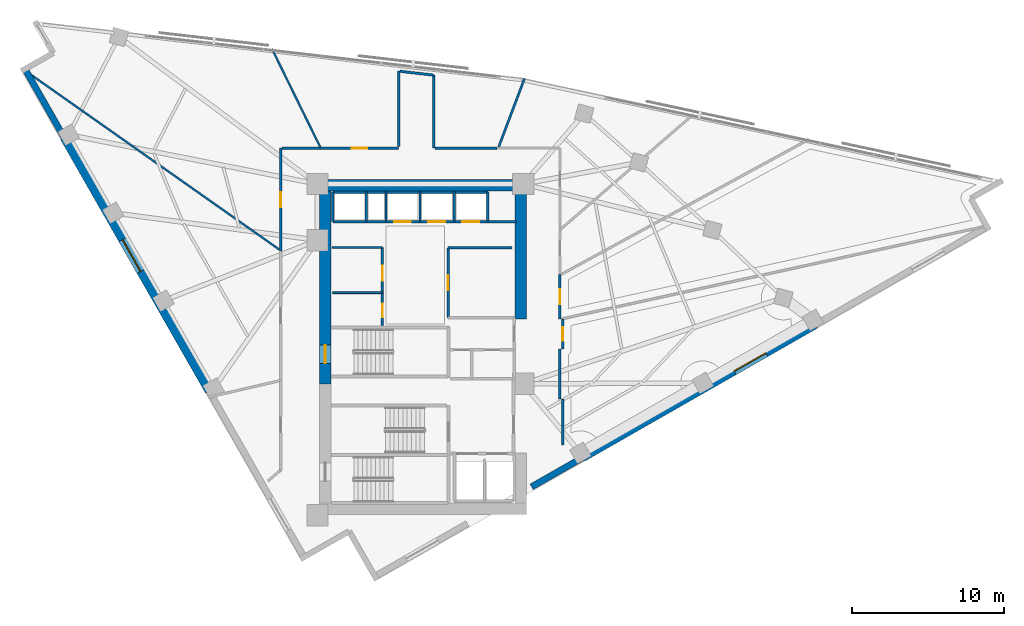
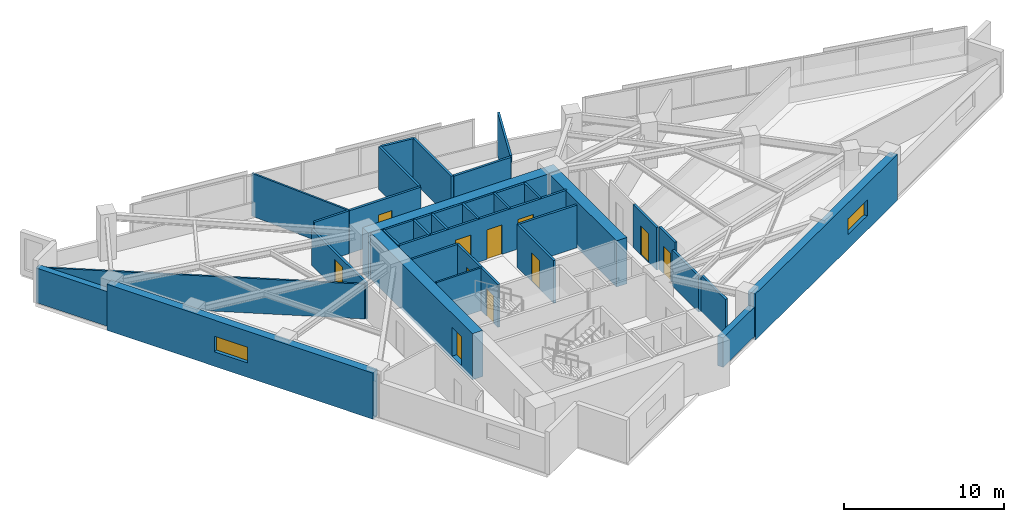
# One storey, part 10 of 14: 35 walls, 11 doors, 2 windows, 13 openings.
"""IFC4 building model written with IfcOpenShell, lengths in metres."""

from ifc_helpers import new_model, si_unit, direction, frame, frame_2d, origin, place, context, subcontext, project, spatial, rectangle, extrude, material, layer, layer_set, type_object, element, fill, save


model = new_model("IFC4")

# Units and contexts
model_context = context("Model", 3, precision=1e-05, world=origin(), true_north=direction((0.0, 1.0)))
body_context = subcontext(model_context, "Body", "Model", "MODEL_VIEW")
ifc_project = project(units=[si_unit("LENGTHUNIT", "METRE"), si_unit("AREAUNIT", "SQUARE_METRE"), si_unit("VOLUMEUNIT", "CUBIC_METRE"), si_unit("PLANEANGLEUNIT", "RADIAN"), si_unit("MASSUNIT", "GRAM", prefix="KILO")], contexts=[model_context])

# Site, building, storey
site_placement = place(None, origin())
site = spatial("IfcSite", under=ifc_project, at=site_placement, CompositionType="ELEMENT")
building_placement = place(site_placement, origin())
building = spatial("IfcBuilding", under=site, at=building_placement, Name="Narakoshi Arena Tower", CompositionType="ELEMENT")
storey_placement = place(building_placement, frame((0.0, 0.0, 214.97998046875)))
storey = spatial("IfcBuildingStorey", under=building, at=storey_placement, Name="L58", CompositionType="ELEMENT", Elevation=214.97998046875)

# Wall, opening, door
ifc_material_1 = material(Name="Concrete C50/60", Category="concrete")
ifc_layer_1 = layer(ifc_material_1, 0.75)
ifc_layer_set_1 = layer_set([ifc_layer_1], Name="Concrete C50/60")
wall_type_1 = type_object("IfcWallType", Name="WL-CORE-750", PredefinedType="SHEAR", material=ifc_layer_set_1)
wall_1_placement = place(storey_placement, frame((72.52490234375, 43.35009765625, -0.260009765625), z_axis=(0.0, 0.0, 1.0), x_axis=(0.0, 1.0, 0.0)))
wall_1 = element("IfcWall", 1, at=wall_1_placement, inside=storey, type_object=wall_type_1, Name="L58 Main Core Shear Wall CW-MN-W", PredefinedType="SHEAR", context=body_context, shape_type="SweptSolid", body=[
    extrude(rectangle(XDim=12.699951171875, YDim=0.75, at=frame_2d((6.35009765625, 0.0))), origin(), (0.0, 0.0, 1.0), 3.52001953125),
])
opening_1_placement = place(wall_1_placement, frame((1.35009765625, 0.0, 0.260009765625)))
opening_1 = element("IfcOpeningElement", 2, at=opening_1_placement, cuts=wall_1, Name="Opening D-03", PredefinedType="OPENING", context=body_context, shape_type="SweptSolid", body=[
    extrude(rectangle(XDim=1.199951171875, YDim=2.199951171875, at=frame_2d((0.60009765625, 1.10009765625))), frame((0.0, 0.385009765625, 0.0), z_axis=(0.0, -1.0, 0.0), x_axis=(1.0, 0.0, 0.0)), (0.0, 0.0, 1.0), 0.77001953125),
])
ifc_material_2 = material(Name="Painted galvanized steel", Category="steel")
door_type_1 = type_object("IfcDoorType", Name="DR-STR-1200", OperationType="NOTDEFINED", PredefinedType="USERDEFINED", material=ifc_material_2)
door_1_placement = place(opening_1_placement, frame((1.199951171875, 0.0, 0.0), z_axis=(0.0, 0.0, 1.0), x_axis=(-1.0, 0.0, 0.0)))
door_1 = element("IfcDoor", 3, at=door_1_placement, inside=storey, type_object=door_type_1, Name="DR-L58-006", ObjectType="EXITDOOR", OperationType="SINGLE_SWING_LEFT", OverallHeight=2.199951171875, OverallWidth=1.199951171875, PredefinedType="USERDEFINED", context=body_context, shape_type="SweptSolid", body=[
    extrude(rectangle(XDim=1.199951171875, YDim=2.199951171875, at=frame_2d((0.60009765625, 1.10009765625))), frame((0.0, 0.02490234375, 0.0), z_axis=(0.0, -1.0, 0.0), x_axis=(1.0, 0.0, 0.0)), (0.0, 0.0, 1.0), 0.050048828125),
])
fill(opening_1, door_1)

# Walls
wall_2_placement = place(storey_placement, frame((72.0, 56.425048828125, -0.260009765625), z_axis=(0.0, 0.0, 1.0), x_axis=(1.0, 0.0, 0.0)))
element("IfcWall", 4, at=wall_2_placement, inside=storey, type_object=wall_type_1, Name="L58 Main Core Shear Wall CW-MN-N", PredefinedType="SHEAR", context=body_context, shape_type="SweptSolid", body=[
    extrude(rectangle(XDim=13.75, YDim=0.75, at=frame_2d((6.875, 0.0))), origin(), (0.0, 0.0, 1.0), 3.52001953125),
])
wall_3_placement = place(storey_placement, frame((85.375, 47.60009765625, -0.260009765625), z_axis=(0.0, 0.0, 1.0), x_axis=(0.0, 1.0, 0.0)))
element("IfcWall", 5, at=wall_3_placement, inside=storey, type_object=wall_type_1, Name="L58 Main Core Shear Wall CW-MN-E", PredefinedType="SHEAR", context=body_context, shape_type="SweptSolid", body=[
    extrude(rectangle(XDim=8.449951171875, YDim=0.75, at=frame_2d((4.22509765625, 0.0))), origin(), (0.0, 0.0, 1.0), 3.52001953125),
])
ifc_material_3 = material(Name="Gypsum plasterboard fire-rated partition")
ifc_layer_2 = layer(ifc_material_3, 0.1650390625)
ifc_layer_set_2 = layer_set([ifc_layer_2], Name="Gypsum plasterboard fire-rated partition")
wall_type_2 = type_object("IfcWallType", Name="WL-CORR-165", PredefinedType="PARTITIONING", material=ifc_layer_set_2)
wall_4_placement = place(storey_placement, frame((87.96142578125, 42.35009765625, 0.0), z_axis=(0.0, 0.0, 1.0), x_axis=(0.0, 1.0, 0.0)))
element("IfcWall", 6, at=wall_4_placement, inside=storey, type_object=wall_type_2, Name="L58 Corridor Partition 02-1", PredefinedType="PARTITIONING", context=body_context, shape_type="SweptSolid", body=[
    extrude(rectangle(XDim=3.2998046875, YDim=0.1650390625, at=frame_2d((1.64990234375, 0.0))), origin(), (0.0, 0.0, 1.0), 2.7451171875),
])
wall_5_placement = place(storey_placement, frame((88.14990234375, 39.322998046875, 0.0), z_axis=(0.0, 0.0, 1.0), x_axis=(0.0, 1.0, 0.0)))
element("IfcWall", 7, at=wall_5_placement, inside=storey, type_object=wall_type_2, Name="L58 Corridor Partition 02-2", PredefinedType="PARTITIONING", context=body_context, shape_type="SweptSolid", body=[
    extrude(rectangle(XDim=3.027099609375, YDim=0.1650390625, at=frame_2d((1.513671875, 0.0))), origin(), (0.0, 0.0, 1.0), 2.7451171875),
])

# Wall, opening, door
wall_6_placement = place(storey_placement, frame((88.14990234375, 45.64990234375, 0.0), z_axis=(0.0, 0.0, 1.0), x_axis=(0.0, 1.0, 0.0)))
wall_6 = element("IfcWall", 8, at=wall_6_placement, inside=storey, type_object=wall_type_2, Name="L58 Corridor Partition 02-3", PredefinedType="PARTITIONING", context=body_context, shape_type="SweptSolid", body=[
    extrude(rectangle(XDim=1.97021484375, YDim=0.1650390625, at=frame_2d((0.985107421875, 0.0))), origin(), (0.0, 0.0, 1.0), 3.260009765625),
])
opening_2_placement = place(wall_6_placement, frame((0.534912109375, 0.0, 0.0)))
opening_2 = element("IfcOpeningElement", 9, at=opening_2_placement, cuts=wall_6, Name="Opening D-08", PredefinedType="OPENING", context=body_context, shape_type="SweptSolid", body=[
    extrude(rectangle(XDim=0.89990234375, YDim=2.10009765625, at=frame_2d((0.449951171875, 1.050048828125))), frame((0.0, 0.092529296875, 0.0), z_axis=(0.0, -1.0, 0.0), x_axis=(1.0, 0.0, 0.0)), (0.0, 0.0, 1.0), 0.18505859375),
])
ifc_material_4 = material(Name="Moisture-resistant laminate timber", Category="wood")
door_type_2 = type_object("IfcDoorType", Name="DR-WC-900", OperationType="NOTDEFINED", PredefinedType="DOOR", material=ifc_material_4)
door_2_placement = place(opening_2_placement, frame((0.89990234375, 0.0, 0.0), z_axis=(0.0, 0.0, 1.0), x_axis=(-1.0, 0.0, 0.0)))
door_2 = element("IfcDoor", 10, at=door_2_placement, inside=storey, type_object=door_type_2, Name="DR-L58-017", OperationType="SINGLE_SWING_LEFT", OverallHeight=2.10009765625, OverallWidth=0.89990234375, PredefinedType="DOOR", context=body_context, shape_type="SweptSolid", body=[
    extrude(rectangle(XDim=0.89990234375, YDim=2.10009765625, at=frame_2d((0.449951171875, 1.050048828125))), frame((0.0, 0.02490234375, 0.0), z_axis=(0.0, -1.0, 0.0), x_axis=(1.0, 0.0, 0.0)), (0.0, 0.0, 1.0), 0.050048828125),
])
fill(opening_2, door_2)

wall_7_placement = place(storey_placement, frame((87.96142578125, 47.6201171875, 0.0), z_axis=(0.0, 0.0, 1.0), x_axis=(0.0, 1.0, 0.0)))
wall_7 = element("IfcWall", 11, at=wall_7_placement, inside=storey, type_object=wall_type_2, Name="L58 Corridor Partition 03-1", PredefinedType="PARTITIONING", context=body_context, shape_type="SweptSolid", body=[
    extrude(rectangle(XDim=2.915283203125, YDim=0.1650390625, at=frame_2d((1.45751953125, 0.0))), origin(), (0.0, 0.0, 1.0), 3.260009765625),
])
opening_3_placement = place(wall_7_placement, frame((0.957763671875, 0.0, 0.0)))
opening_3 = element("IfcOpeningElement", 12, at=opening_3_placement, cuts=wall_7, Name="Opening D-06", PredefinedType="OPENING", context=body_context, shape_type="SweptSolid", body=[
    extrude(rectangle(XDim=1.0, YDim=2.199951171875, at=frame_2d((0.5, 1.10009765625))), frame((0.0, 0.092529296875, 0.0), z_axis=(0.0, -1.0, 0.0), x_axis=(1.0, 0.0, 0.0)), (0.0, 0.0, 1.0), 0.18505859375),
])
ifc_material_5 = material(Name="Stained oak solid-core timber", Category="wood")
door_type_3 = type_object("IfcDoorType", Name="DR-OFF-1000", OperationType="NOTDEFINED", PredefinedType="DOOR", material=ifc_material_5)
door_3_placement = place(opening_3_placement, frame((1.0, 0.0, 0.0), z_axis=(0.0, 0.0, 1.0), x_axis=(-1.0, 0.0, 0.0)))
door_3 = element("IfcDoor", 13, at=door_3_placement, inside=storey, type_object=door_type_3, Name="DR-L58-018", OperationType="SINGLE_SWING_RIGHT", OverallHeight=2.199951171875, OverallWidth=1.0, PredefinedType="DOOR", context=body_context, shape_type="SweptSolid", body=[
    extrude(rectangle(XDim=1.0, YDim=2.199951171875, at=frame_2d((0.5, 1.10009765625))), frame((0.0, 0.02490234375, 0.0), z_axis=(0.0, -1.0, 0.0), x_axis=(1.0, 0.0, 0.0)), (0.0, 0.0, 1.0), 0.050048828125),
])
fill(opening_3, door_3)

wall_8_placement = place(storey_placement, frame((77.35009765625, 58.861328125, 0.0), z_axis=(0.0, 0.0, 1.0), x_axis=(-1.0, 0.0, 0.0)))
wall_8 = element("IfcWall", 14, at=wall_8_placement, inside=storey, type_object=wall_type_2, Name="L58 Corridor Partition 06-1", PredefinedType="PARTITIONING", context=body_context, shape_type="SweptSolid", body=[
    extrude(rectangle(XDim=5.1630859375, YDim=0.1650390625, at=frame_2d((2.58154296875, 0.0))), origin(), (0.0, 0.0, 1.0), 3.260009765625),
])
opening_4_placement = place(wall_8_placement, frame((2.081298828125, 0.0, 0.0)))
opening_4 = element("IfcOpeningElement", 15, at=opening_4_placement, cuts=wall_8, Name="Opening D-06", PredefinedType="OPENING", context=body_context, shape_type="SweptSolid", body=[
    extrude(rectangle(XDim=1.0, YDim=2.199951171875, at=frame_2d((0.5, 1.10009765625))), frame((0.0, 0.092529296875, 0.0), z_axis=(0.0, -1.0, 0.0), x_axis=(1.0, 0.0, 0.0)), (0.0, 0.0, 1.0), 0.18505859375),
])
door_4_placement = place(opening_4_placement, frame((1.0, 0.0, 0.0), z_axis=(0.0, 0.0, 1.0), x_axis=(-1.0, 0.0, 0.0)))
door_4 = element("IfcDoor", 16, at=door_4_placement, inside=storey, type_object=door_type_3, Name="DR-L58-021", OperationType="SINGLE_SWING_LEFT", OverallHeight=2.199951171875, OverallWidth=1.0, PredefinedType="DOOR", context=body_context, shape_type="SweptSolid", body=[
    extrude(rectangle(XDim=1.0, YDim=2.199951171875, at=frame_2d((0.5, 1.10009765625))), frame((0.0, 0.02490234375, 0.0), z_axis=(0.0, -1.0, 0.0), x_axis=(1.0, 0.0, 0.0)), (0.0, 0.0, 1.0), 0.050048828125),
])
fill(opening_4, door_4)

# Walls
wall_9_placement = place(storey_placement, frame((77.35009765625, 63.930908203125, 0.0), z_axis=(0.0, 0.0, 1.0), x_axis=(0.0, -1.0, 0.0)))
element("IfcWall", 17, at=wall_9_placement, inside=storey, type_object=wall_type_2, Name="L58 Corridor Partition 06-2", PredefinedType="PARTITIONING", context=body_context, shape_type="SweptSolid", body=[
    extrude(rectangle(XDim=4.97509765625, YDim=0.1650390625, at=frame_2d((2.487548828125, 0.0))), origin(), (0.0, 0.0, 1.0), 3.260009765625),
])
wall_10_placement = place(storey_placement, frame((79.64990234375, 58.861328125, 0.0), z_axis=(0.0, 0.0, 1.0), x_axis=(0.0, 1.0, 0.0)))
element("IfcWall", 18, at=wall_10_placement, inside=storey, type_object=wall_type_2, Name="L58 Corridor Partition 06-3", PredefinedType="PARTITIONING", context=body_context, shape_type="SweptSolid", body=[
    extrude(rectangle(XDim=4.80322265625, YDim=0.1650390625, at=frame_2d((2.401611328125, 0.0))), origin(), (0.0, 0.0, 1.0), 3.260009765625),
])
wall_11_placement = place(storey_placement, frame((83.837890625, 58.861328125, 0.0), z_axis=(0.0, 0.0, 1.0), x_axis=(-1.0, 0.0, 0.0)))
element("IfcWall", 19, at=wall_11_placement, inside=storey, type_object=wall_type_2, Name="L58 Corridor Partition 06-4", PredefinedType="PARTITIONING", context=body_context, shape_type="SweptSolid", body=[
    extrude(rectangle(XDim=4.093505859375, YDim=0.1650390625, at=frame_2d((2.046875, 0.0))), origin(), (0.0, 0.0, 1.0), 3.260009765625),
])
wall_12_placement = place(storey_placement, frame((79.64990234375, 63.66455078125, 0.0), z_axis=(0.0, 0.0, 1.0), x_axis=(-0.993362136032, 0.115028981987, 0.0)))
element("IfcWall", 20, at=wall_12_placement, inside=storey, type_object=wall_type_2, Name="L58 Corridor Partition 06-5", PredefinedType="PARTITIONING", context=body_context, shape_type="SweptSolid", body=[
    extrude(rectangle(XDim=2.219970703125, YDim=0.1650390625, at=frame_2d((1.10986328125, 0.0))), origin(), (0.0, 0.0, 1.0), 3.260009765625),
])

# Wall, opening, door
wall_13_placement = place(storey_placement, frame((69.588623046875, 58.861328125, 0.0), z_axis=(0.0, 0.0, 1.0), x_axis=(0.0, -1.0, 0.0)))
wall_13 = element("IfcWall", 21, at=wall_13_placement, inside=storey, type_object=wall_type_2, Name="L58 Corridor Partition 07-1", PredefinedType="PARTITIONING", context=body_context, shape_type="SweptSolid", body=[
    extrude(rectangle(XDim=6.784912109375, YDim=0.1650390625, at=frame_2d((3.392578125, 0.0))), origin(), (0.0, 0.0, 1.0), 2.7451171875),
])
opening_5_placement = place(wall_13_placement, frame((2.892578125, 0.0, 0.0)))
opening_5 = element("IfcOpeningElement", 22, at=opening_5_placement, cuts=wall_13, Name="Opening D-06", PredefinedType="OPENING", context=body_context, shape_type="SweptSolid", body=[
    extrude(rectangle(XDim=1.0, YDim=2.199951171875, at=frame_2d((0.5, 1.10009765625))), frame((0.0, 0.092529296875, 0.0), z_axis=(0.0, -1.0, 0.0), x_axis=(1.0, 0.0, 0.0)), (0.0, 0.0, 1.0), 0.18505859375),
])
door_5_placement = place(opening_5_placement, frame((1.0, 0.0, 0.0), z_axis=(0.0, 0.0, 1.0), x_axis=(-1.0, 0.0, 0.0)))
door_5 = element("IfcDoor", 23, at=door_5_placement, inside=storey, type_object=door_type_3, Name="DR-L58-022", OperationType="SINGLE_SWING_RIGHT", OverallHeight=2.199951171875, OverallWidth=1.0, PredefinedType="DOOR", context=body_context, shape_type="SweptSolid", body=[
    extrude(rectangle(XDim=1.0, YDim=2.199951171875, at=frame_2d((0.5, 1.10009765625))), frame((0.0, 0.02490234375, 0.0), z_axis=(0.0, -1.0, 0.0), x_axis=(1.0, 0.0, 0.0)), (0.0, 0.0, 1.0), 0.050048828125),
])
fill(opening_5, door_5)

# Wall
wall_14_placement = place(storey_placement, frame((72.16015625, 58.861328125, 0.0), z_axis=(0.0, 0.0, 1.0), x_axis=(-1.0, 0.0, 0.0)))
element("IfcWall", 24, at=wall_14_placement, inside=storey, type_object=wall_type_2, Name="L58 Corridor Partition 07-2", PredefinedType="PARTITIONING", context=body_context, shape_type="SweptSolid", body=[
    extrude(rectangle(XDim=2.47705078125, YDim=0.1650390625, at=frame_2d((1.238525390625, 0.0))), origin(), (0.0, 0.0, 1.0), 3.260009765625),
])

# Wall, opening, window
ifc_layer_3 = layer(ifc_material_1, 0.550048828125)
ifc_layer_set_3 = layer_set([ifc_layer_3], Name="Concrete C50/60")
wall_type_3 = type_object("IfcWallType", Name="WL-LEG-550", PredefinedType="SHEAR", material=ifc_layer_set_3)
wall_15_placement = place(storey_placement, frame((89.479248046875, 38.4990234375, -0.260009765625), z_axis=(0.0, 0.0, 1.0), x_axis=(0.868197136736, 0.496219439123, 0.0)))
wall_15 = element("IfcWall", 25, at=wall_15_placement, inside=storey, type_object=wall_type_3, Name="L58 Architectural Concrete Structural Wall LEGA-3", PredefinedType="SHEAR", context=body_context, shape_type="SweptSolid", body=[
    extrude(rectangle(XDim=17.63623046875, YDim=0.550048828125, at=frame_2d((8.818115234375, 0.0))), origin(), (0.0, 0.0, 1.0), 3.52001953125),
])
opening_6_placement = place(wall_15_placement, frame((11.463623046875, 0.0, 1.10009765625)))
opening_6 = element("IfcOpeningElement", 26, at=opening_6_placement, cuts=wall_15, Name="Opening WN-04", PredefinedType="OPENING", context=body_context, shape_type="SweptSolid", body=[
    extrude(rectangle(XDim=2.39990234375, YDim=1.199951171875, at=frame_2d((1.199951171875, 0.60009765625))), frame((0.0, 0.284912109375, 0.0), z_axis=(0.0, -1.0, 0.0), x_axis=(1.0, 0.0, 0.0)), (0.0, 0.0, 1.0), 0.570068359375),
])
ifc_material_6 = material(Name="Bronze-tinted low-E laminated glass", Category="glass")
window_type = type_object("IfcWindowType", Name="WIN-SLT-24x12", PartitioningType="SINGLE_PANEL", PredefinedType="WINDOW", material=ifc_material_6)
window_1_placement = place(opening_6_placement, origin())
window_1 = element("IfcWindow", 27, at=window_1_placement, inside=storey, type_object=window_type, Name="L58 LEGA3 Horizontal Slot Window 1", OverallHeight=1.199951171875, OverallWidth=2.39990234375, PartitioningType="SINGLE_PANEL", PredefinedType="WINDOW", context=body_context, shape_type="SweptSolid", body=[
    extrude(rectangle(XDim=2.39990234375, YDim=1.199951171875, at=frame_2d((1.199951171875, 0.60009765625))), frame((0.0, 0.030029296875, 0.0), z_axis=(0.0, -1.0, 0.0), x_axis=(1.0, 0.0, 0.0)), (0.0, 0.0, 1.0), 0.06005859375),
])
fill(opening_6, window_1)

wall_16_placement = place(storey_placement, frame((55.3251953125, 59.5703125, -0.260009765625), z_axis=(0.0, 0.0, 1.0), x_axis=(0.496211351597, -0.868201759124, 0.0)))
wall_16 = element("IfcWall", 28, at=wall_16_placement, inside=storey, type_object=wall_type_3, Name="L58 Architectural Concrete Structural Wall LEGB-2", PredefinedType="SHEAR", context=body_context, shape_type="SweptSolid", body=[
    extrude(rectangle(XDim=19.242919921875, YDim=0.550048828125, at=frame_2d((9.62158203125, 0.0))), origin(), (0.0, 0.0, 1.0), 3.52001953125),
])
opening_7_placement = place(wall_16_placement, frame((7.7568359375, 0.0, 1.10009765625)))
opening_7 = element("IfcOpeningElement", 29, at=opening_7_placement, cuts=wall_16, Name="Opening WN-04", PredefinedType="OPENING", context=body_context, shape_type="SweptSolid", body=[
    extrude(rectangle(XDim=2.39990234375, YDim=1.199951171875, at=frame_2d((1.199951171875, 0.60009765625))), frame((0.0, 0.284912109375, 0.0), z_axis=(0.0, -1.0, 0.0), x_axis=(1.0, 0.0, 0.0)), (0.0, 0.0, 1.0), 0.570068359375),
])
window_2_placement = place(opening_7_placement, origin())
window_2 = element("IfcWindow", 30, at=window_2_placement, inside=storey, type_object=window_type, Name="L58 LEGB2 Horizontal Slot Window 1", OverallHeight=1.199951171875, OverallWidth=2.39990234375, PartitioningType="SINGLE_PANEL", PredefinedType="WINDOW", context=body_context, shape_type="SweptSolid", body=[
    extrude(rectangle(XDim=2.39990234375, YDim=1.199951171875, at=frame_2d((1.199951171875, 0.60009765625))), frame((0.0, 0.030029296875, 0.0), z_axis=(0.0, -1.0, 0.0), x_axis=(1.0, 0.0, 0.0)), (0.0, 0.0, 1.0), 0.06005859375),
])
fill(opening_7, window_2)

# Walls
ifc_layer_4 = layer(ifc_material_3, 0.125)
ifc_layer_set_4 = layer_set([ifc_layer_4], Name="Gypsum plasterboard fire-rated partition")
wall_type_4 = type_object("IfcWallType", Name="WL-PART-125", PredefinedType="PARTITIONING", material=ifc_layer_set_4)
wall_17_placement = place(storey_placement, frame((73.0, 49.35009765625, 0.0), z_axis=(0.0, 0.0, 1.0), x_axis=(1.0, 0.0, 0.0)))
element("IfcWall", 31, at=wall_17_placement, inside=storey, type_object=wall_type_4, Name="L58 Core Wall RCL-LR-D1", PredefinedType="PARTITIONING", context=body_context, shape_type="SweptSolid", body=[
    extrude(rectangle(XDim=3.280029296875, YDim=0.125, at=frame_2d((1.64013671875, 0.0))), origin(), (0.0, 0.0, 1.0), 3.260009765625),
])
wall_18_placement = place(storey_placement, frame((72.18701171875, 58.9287109375, 0.0), z_axis=(0.0, 0.0, 1.0), x_axis=(-0.440808632893, 0.897601108047, 0.0)))
element("IfcWall", 32, at=wall_18_placement, inside=storey, type_object=wall_type_4, Name="L58 Inter-Room Partition 06-07", PredefinedType="PARTITIONING", context=body_context, shape_type="SweptSolid", body=[
    extrude(rectangle(XDim=7.20947265625, YDim=0.125, at=frame_2d((3.604736328125, 0.0))), origin(), (0.0, 0.0, 1.0), 3.260009765625),
])
wall_19_placement = place(storey_placement, frame((69.494140625, 52.18701171875, 0.0), z_axis=(0.0, 0.0, 1.0), x_axis=(-0.817704178427, 0.575638668422, 0.0)))
element("IfcWall", 33, at=wall_19_placement, inside=storey, type_object=wall_type_4, Name="L58 Inter-Room Partition 07-08", PredefinedType="PARTITIONING", context=body_context, shape_type="SweptSolid", body=[
    extrude(rectangle(XDim=20.564697265625, YDim=0.125, at=frame_2d((10.2822265625, 0.0))), origin(), (0.0, 0.0, 1.0), 2.64501953125),
])
ifc_material_7 = material(Name="Precast concrete C45/55", Category="concrete")
ifc_layer_5 = layer(ifc_material_7, 0.419921875)
ifc_layer_set_5 = layer_set([ifc_layer_5], Name="Precast concrete C45/55")
wall_type_5 = type_object("IfcWallType", Name="WL-POD-420", PredefinedType="SOLIDWALL", material=ifc_layer_set_5)
wall_20_placement = place(storey_placement, frame((86.10009765625, 36.567626953125, 0.0), z_axis=(0.0, 0.0, 1.0), x_axis=(0.868192956745, 0.496226752461, 0.0)))
element("IfcWall", 34, at=wall_20_placement, inside=storey, type_object=wall_type_5, Name="L58 Architectural Concrete Facade Wall LEGA-2", PredefinedType="SOLIDWALL", context=body_context, shape_type="SweptSolid", body=[
    extrude(rectangle(XDim=3.89208984375, YDim=0.419921875, at=frame_2d((1.946044921875, 0.0))), origin(), (0.0, 0.0, 1.0), 2.2451171875),
])
wall_21_placement = place(storey_placement, frame((52.75439453125, 64.068359375, 0.0), z_axis=(0.0, 0.0, 1.0), x_axis=(0.496209984367, -0.868202540548, 0.0)))
element("IfcWall", 35, at=wall_21_placement, inside=storey, type_object=wall_type_5, Name="L58 Architectural Concrete Facade Wall LEGB-1", PredefinedType="SOLIDWALL", context=body_context, shape_type="SweptSolid", body=[
    extrude(rectangle(XDim=5.180908203125, YDim=0.419921875, at=frame_2d((2.59033203125, 0.0))), origin(), (0.0, 0.0, 1.0), 2.64501953125),
])
ifc_material_8 = material(Name="Concrete C40/50", Category="concrete")
ifc_layer_6 = layer(ifc_material_8, 0.280029296875)
ifc_layer_set_6 = layer_set([ifc_layer_6], Name="Concrete C40/50")
wall_type_6 = type_object("IfcWallType", Name="WL-RISER-280", PredefinedType="PLUMBINGWALL", material=ifc_layer_set_6)
for number, where, z_axis, x_axis, name in (
    (36, (73.02001953125, 54.02001953125, 0.0), (0.0, 0.0, 1.0), (0.0, 1.0, 0.0), "L58 Core Wall OBS-W"),
    (37, (75.219970703125, 54.02001953125, 0.0), (0.0, 0.0, 1.0), (0.0, 1.0, 0.0), "L58 Core Wall OBS-M"),
):
    element("IfcWall", number, at=place(storey_placement, frame(where, z_axis=z_axis, x_axis=x_axis)), inside=storey, type_object=wall_type_6, Name=name, PredefinedType="PLUMBINGWALL", context=body_context, shape_type="SweptSolid", body=[
        extrude(rectangle(XDim=1.93994140625, YDim=0.14990234375, at=frame_2d((0.969970703125, 0.0))), origin(), (0.0, 0.0, 1.0), 3.260009765625),
    ])
for number, where, z_axis, x_axis, name in (
    (38, (78.75, 54.02001953125, 0.0), (0.0, 0.0, 1.0), (0.0, 1.0, 0.0), "L58 Core Wall HR-D1"),
    (39, (81.0, 54.02001953125, 0.0), (0.0, 0.0, 1.0), (0.0, 1.0, 0.0), "L58 Core Wall HR-D2"),
):
    element("IfcWall", number, at=place(storey_placement, frame(where, z_axis=z_axis, x_axis=x_axis)), inside=storey, type_object=wall_type_6, Name=name, PredefinedType="PLUMBINGWALL", context=body_context, shape_type="SweptSolid", body=[
        extrude(rectangle(XDim=1.9599609375, YDim=0.14990234375, at=frame_2d((0.97998046875, 0.0))), origin(), (0.0, 0.0, 1.0), 3.260009765625),
    ])

# Wall, openings, doors
ifc_layer_7 = layer(ifc_material_1, 0.35009765625)
ifc_layer_set_7 = layer_set([ifc_layer_7], Name="Concrete C50/60")
wall_type_7 = type_object("IfcWallType", Name="WL-SHAFT-350", PredefinedType="SOLIDWALL", material=ifc_layer_set_7)
wall_22_placement = place(storey_placement, frame((76.280029296875, 47.179931640625, 0.0), z_axis=(0.0, 0.0, 1.0), x_axis=(0.0, 1.0, 0.0)))
wall_22 = element("IfcWall", 40, at=wall_22_placement, inside=storey, type_object=wall_type_7, Name="L58 Core Wall LR-E", PredefinedType="SOLIDWALL", context=body_context, shape_type="SweptSolid", body=[
    extrude(rectangle(XDim=5.14013671875, YDim=0.159912109375, at=frame_2d((2.570068359375, 0.0))), origin(), (0.0, 0.0, 1.0), 3.260009765625),
])
opening_8_placement = place(wall_22_placement, frame((0.550048828125, 0.0, 0.0)))
opening_8 = element("IfcOpeningElement", 41, at=opening_8_placement, cuts=wall_22, Name="Opening D-08", PredefinedType="OPENING", context=body_context, shape_type="SweptSolid", body=[
    extrude(rectangle(XDim=0.89990234375, YDim=2.10009765625, at=frame_2d((0.449951171875, 1.050048828125))), frame((0.0, 0.08984375, 0.0), z_axis=(0.0, -1.0, 0.0), x_axis=(1.0, 0.0, 0.0)), (0.0, 0.0, 1.0), 0.179931640625),
])
opening_9_placement = place(wall_22_placement, frame((2.949951171875, 0.0, 0.0)))
opening_9 = element("IfcOpeningElement", 42, at=opening_9_placement, cuts=wall_22, Name="Opening D-06", PredefinedType="OPENING", context=body_context, shape_type="SweptSolid", body=[
    extrude(rectangle(XDim=1.0, YDim=2.199951171875, at=frame_2d((0.5, 1.10009765625))), frame((0.0, 0.08984375, 0.0), z_axis=(0.0, -1.0, 0.0), x_axis=(1.0, 0.0, 0.0)), (0.0, 0.0, 1.0), 0.179931640625),
])
door_6_placement = place(opening_9_placement, frame((1.0, 0.0, 0.0), z_axis=(0.0, 0.0, 1.0), x_axis=(-1.0, 0.0, 0.0)))
door_6 = element("IfcDoor", 43, at=door_6_placement, inside=storey, type_object=door_type_3, Name="DR-L58-011", OperationType="SINGLE_SWING_LEFT", OverallHeight=2.199951171875, OverallWidth=1.0, PredefinedType="DOOR", context=body_context, shape_type="SweptSolid", body=[
    extrude(rectangle(XDim=1.0, YDim=2.199951171875, at=frame_2d((0.5, 1.10009765625))), frame((0.0, 0.02490234375, 0.0), z_axis=(0.0, -1.0, 0.0), x_axis=(1.0, 0.0, 0.0)), (0.0, 0.0, 1.0), 0.050048828125),
])
fill(opening_9, door_6)
door_7_placement = place(opening_8_placement, frame((0.89990234375, 0.0, 0.0), z_axis=(0.0, 0.0, 1.0), x_axis=(-1.0, 0.0, 0.0)))
door_7 = element("IfcDoor", 44, at=door_7_placement, inside=storey, type_object=door_type_2, Name="DR-L58-010", OperationType="SINGLE_SWING_RIGHT", OverallHeight=2.10009765625, OverallWidth=0.89990234375, PredefinedType="DOOR", context=body_context, shape_type="SweptSolid", body=[
    extrude(rectangle(XDim=0.89990234375, YDim=2.10009765625, at=frame_2d((0.449951171875, 1.050048828125))), frame((0.0, 0.02490234375, 0.0), z_axis=(0.0, -1.0, 0.0), x_axis=(1.0, 0.0, 0.0)), (0.0, 0.0, 1.0), 0.050048828125),
])
fill(opening_8, door_7)

# Wall
wall_23_placement = place(storey_placement, frame((72.949951171875, 52.320068359375, 0.0), z_axis=(0.0, 0.0, 1.0), x_axis=(1.0, 0.0, 0.0)))
element("IfcWall", 45, at=wall_23_placement, inside=storey, type_object=wall_type_7, Name="L58 Core Wall LR-N", PredefinedType="SOLIDWALL", context=body_context, shape_type="SweptSolid", body=[
    extrude(rectangle(XDim=3.330078125, YDim=0.14990234375, at=frame_2d((1.6650390625, 0.0))), origin(), (0.0, 0.0, 1.0), 3.260009765625),
])

# Wall, opening, door
wall_24_placement = place(storey_placement, frame((80.60009765625, 47.699951171875, 0.0), z_axis=(0.0, 0.0, 1.0), x_axis=(0.0, 1.0, 0.0)))
wall_24 = element("IfcWall", 46, at=wall_24_placement, inside=storey, type_object=wall_type_7, Name="L58 Core Wall MR-W", PredefinedType="SOLIDWALL", context=body_context, shape_type="SweptSolid", body=[
    extrude(rectangle(XDim=4.60009765625, YDim=0.159912109375, at=frame_2d((2.300048828125, 0.0))), origin(), (0.0, 0.0, 1.0), 3.260009765625),
])
opening_10_placement = place(wall_24_placement, frame((1.800048828125, 0.0, 0.0)))
opening_10 = element("IfcOpeningElement", 47, at=opening_10_placement, cuts=wall_24, Name="Opening D-06", PredefinedType="OPENING", context=body_context, shape_type="SweptSolid", body=[
    extrude(rectangle(XDim=1.0, YDim=2.199951171875, at=frame_2d((0.5, 1.10009765625))), frame((0.0, 0.08984375, 0.0), z_axis=(0.0, -1.0, 0.0), x_axis=(1.0, 0.0, 0.0)), (0.0, 0.0, 1.0), 0.179931640625),
])
door_8_placement = place(opening_10_placement, origin())
door_8 = element("IfcDoor", 48, at=door_8_placement, inside=storey, type_object=door_type_3, Name="DR-L58-012", OperationType="SINGLE_SWING_LEFT", OverallHeight=2.199951171875, OverallWidth=1.0, PredefinedType="DOOR", context=body_context, shape_type="SweptSolid", body=[
    extrude(rectangle(XDim=1.0, YDim=2.199951171875, at=frame_2d((0.5, 1.10009765625))), frame((0.0, 0.02490234375, 0.0), z_axis=(0.0, -1.0, 0.0), x_axis=(1.0, 0.0, 0.0)), (0.0, 0.0, 1.0), 0.050048828125),
])
fill(opening_10, door_8)

# Wall
wall_25_placement = place(storey_placement, frame((80.60009765625, 52.300048828125, 0.0), z_axis=(0.0, 0.0, 1.0), x_axis=(1.0, 0.0, 0.0)))
element("IfcWall", 49, at=wall_25_placement, inside=storey, type_object=wall_type_7, Name="L58 Core Wall MR-N", PredefinedType="SOLIDWALL", context=body_context, shape_type="SweptSolid", body=[
    extrude(rectangle(XDim=4.219970703125, YDim=0.159912109375, at=frame_2d((2.10986328125, 0.0))), origin(), (0.0, 0.0, 1.0), 3.260009765625),
])

# Wall, openings, doors
wall_26_placement = place(storey_placement, frame((73.02001953125, 54.02001953125, 0.0), z_axis=(0.0, 0.0, 1.0), x_axis=(1.0, 0.0, 0.0)))
wall_26 = element("IfcWall", 50, at=wall_26_placement, inside=storey, type_object=wall_type_7, Name="L58 Core Wall NSHF-S", PredefinedType="SOLIDWALL", context=body_context, shape_type="SweptSolid", body=[
    extrude(rectangle(XDim=12.080078125, YDim=0.159912109375, at=frame_2d((6.0400390625, 0.0))), origin(), (0.0, 0.0, 1.0), 3.260009765625),
])
opening_11_placement = place(wall_26_placement, frame((4.030029296875, 0.0, 0.0)))
opening_11 = element("IfcOpeningElement", 51, at=opening_11_placement, cuts=wall_26, Name="Opening LD-01", PredefinedType="OPENING", context=body_context, shape_type="SweptSolid", body=[
    extrude(rectangle(XDim=1.10009765625, YDim=2.25, at=frame_2d((0.550048828125, 1.125))), frame((0.0, 0.08984375, 0.0), z_axis=(0.0, -1.0, 0.0), x_axis=(1.0, 0.0, 0.0)), (0.0, 0.0, 1.0), 0.179931640625),
])
opening_12_placement = place(wall_26_placement, frame((6.280029296875, 0.0, 0.0)))
opening_12 = element("IfcOpeningElement", 52, at=opening_12_placement, cuts=wall_26, Name="Opening LD-01", PredefinedType="OPENING", context=body_context, shape_type="SweptSolid", body=[
    extrude(rectangle(XDim=1.10009765625, YDim=2.25, at=frame_2d((0.550048828125, 1.125))), frame((0.0, 0.08984375, 0.0), z_axis=(0.0, -1.0, 0.0), x_axis=(1.0, 0.0, 0.0)), (0.0, 0.0, 1.0), 0.179931640625),
])
opening_13_placement = place(wall_26_placement, frame((8.530029296875, 0.0, 0.0)))
opening_13 = element("IfcOpeningElement", 53, at=opening_13_placement, cuts=wall_26, Name="Opening LD-01", PredefinedType="OPENING", context=body_context, shape_type="SweptSolid", body=[
    extrude(rectangle(XDim=1.10009765625, YDim=2.25, at=frame_2d((0.550048828125, 1.125))), frame((0.0, 0.08984375, 0.0), z_axis=(0.0, -1.0, 0.0), x_axis=(1.0, 0.0, 0.0)), (0.0, 0.0, 1.0), 0.179931640625),
])
ifc_material_9 = material(Name="Brushed bronze stainless steel", Category="steel")
door_type_4 = type_object("IfcDoorType", Name="DR-LFT-1100", OperationType="DOUBLE_DOOR_SLIDING", PredefinedType="DOOR", material=ifc_material_9)
door_9_placement = place(opening_11_placement, origin())
door_9 = element("IfcDoor", 54, at=door_9_placement, inside=storey, type_object=door_type_4, Name="DR-L58-013", OperationType="DOUBLE_DOOR_SLIDING", OverallHeight=2.25, OverallWidth=1.10009765625, PredefinedType="DOOR", context=body_context, shape_type="SweptSolid", body=[
    extrude(rectangle(XDim=1.10009765625, YDim=2.25, at=frame_2d((0.550048828125, 1.125))), frame((0.0, 0.02490234375, 0.0), z_axis=(0.0, -1.0, 0.0), x_axis=(1.0, 0.0, 0.0)), (0.0, 0.0, 1.0), 0.050048828125),
])
fill(opening_11, door_9)
door_10_placement = place(opening_12_placement, origin())
door_10 = element("IfcDoor", 55, at=door_10_placement, inside=storey, type_object=door_type_4, Name="DR-L58-014", OperationType="DOUBLE_DOOR_SLIDING", OverallHeight=2.25, OverallWidth=1.10009765625, PredefinedType="DOOR", context=body_context, shape_type="SweptSolid", body=[
    extrude(rectangle(XDim=1.10009765625, YDim=2.25, at=frame_2d((0.550048828125, 1.125))), frame((0.0, 0.02490234375, 0.0), z_axis=(0.0, -1.0, 0.0), x_axis=(1.0, 0.0, 0.0)), (0.0, 0.0, 1.0), 0.050048828125),
])
fill(opening_12, door_10)
door_11_placement = place(opening_13_placement, origin())
door_11 = element("IfcDoor", 56, at=door_11_placement, inside=storey, type_object=door_type_4, Name="DR-L58-015", OperationType="DOUBLE_DOOR_SLIDING", OverallHeight=2.25, OverallWidth=1.10009765625, PredefinedType="DOOR", context=body_context, shape_type="SweptSolid", body=[
    extrude(rectangle(XDim=1.10009765625, YDim=2.25, at=frame_2d((0.550048828125, 1.125))), frame((0.0, 0.02490234375, 0.0), z_axis=(0.0, -1.0, 0.0), x_axis=(1.0, 0.0, 0.0)), (0.0, 0.0, 1.0), 0.050048828125),
])
fill(opening_13, door_11)

# Walls
wall_27_placement = place(storey_placement, frame((73.02001953125, 55.9599609375, 0.0), z_axis=(0.0, 0.0, 1.0), x_axis=(1.0, 0.0, 0.0)))
element("IfcWall", 57, at=wall_27_placement, inside=storey, type_object=wall_type_7, Name="L58 Core Wall OBS-N", PredefinedType="SOLIDWALL", context=body_context, shape_type="SweptSolid", body=[
    extrude(rectangle(XDim=3.5, YDim=0.14990234375, at=frame_2d((1.75, 0.0))), origin(), (0.0, 0.0, 1.0), 3.260009765625),
])
wall_28_placement = place(storey_placement, frame((76.52001953125, 54.02001953125, 0.0), z_axis=(0.0, 0.0, 1.0), x_axis=(0.0, 1.0, 0.0)))
element("IfcWall", 58, at=wall_28_placement, inside=storey, type_object=wall_type_7, Name="L58 Core Wall OBS-E", PredefinedType="SOLIDWALL", context=body_context, shape_type="SweptSolid", body=[
    extrude(rectangle(XDim=1.93994140625, YDim=0.14990234375, at=frame_2d((0.969970703125, 0.0))), origin(), (0.0, 0.0, 1.0), 3.260009765625),
])
wall_29_placement = place(storey_placement, frame((83.219970703125, 54.02001953125, 0.0), z_axis=(0.0, 0.0, 1.0), x_axis=(0.0, 1.0, 0.0)))
element("IfcWall", 59, at=wall_29_placement, inside=storey, type_object=wall_type_7, Name="L58 Core Wall HR-E", PredefinedType="SOLIDWALL", context=body_context, shape_type="SweptSolid", body=[
    extrude(rectangle(XDim=1.9599609375, YDim=0.14990234375, at=frame_2d((0.97998046875, 0.0))), origin(), (0.0, 0.0, 1.0), 3.260009765625),
])
wall_30_placement = place(storey_placement, frame((76.52001953125, 55.9599609375, 0.0), z_axis=(0.0, 0.0, 1.0), x_axis=(1.0, 0.0, 0.0)))
element("IfcWall", 60, at=wall_30_placement, inside=storey, type_object=wall_type_7, Name="L58 Core Wall HR-N", PredefinedType="SOLIDWALL", context=body_context, shape_type="SweptSolid", body=[
    extrude(rectangle(XDim=6.699951171875, YDim=0.14990234375, at=frame_2d((3.35009765625, 0.0))), origin(), (0.0, 0.0, 1.0), 3.260009765625),
])
ifc_material_10 = material(Name="Moisture-resistant cement-board partition")
ifc_layer_8 = layer(ifc_material_10, 0.14501953125)
ifc_layer_set_8 = layer_set([ifc_layer_8], Name="Moisture-resistant cement-board partition")
wall_type_8 = type_object("IfcWallType", Name="WL-WET-145", PredefinedType="PARTITIONING", material=ifc_layer_set_8)
wall_31_placement = place(storey_placement, frame((83.93408203125, 58.94580078125, 0.0), z_axis=(0.0, 0.0, 1.0), x_axis=(0.353431098222, 0.93546055973, 0.0)))
element("IfcWall", 61, at=wall_31_placement, inside=storey, type_object=wall_type_8, Name="L58 Inter-Room Partition 05-06", PredefinedType="PARTITIONING", context=body_context, shape_type="SweptSolid", body=[
    extrude(rectangle(XDim=4.82080078125, YDim=0.14501953125, at=frame_2d((2.410400390625, 0.0))), origin(), (0.0, 0.0, 1.0), 3.260009765625),
])

save(model, "model.ifc")
